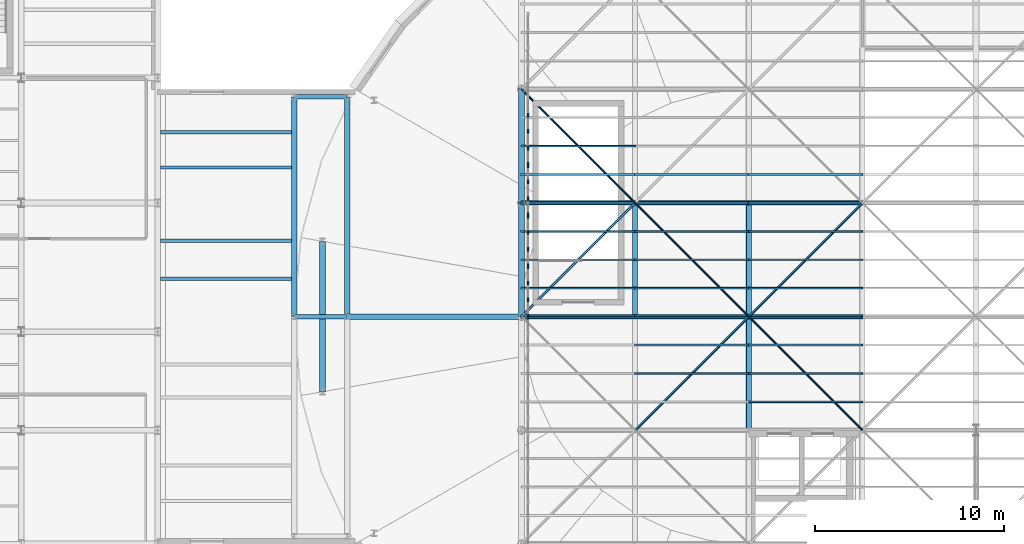
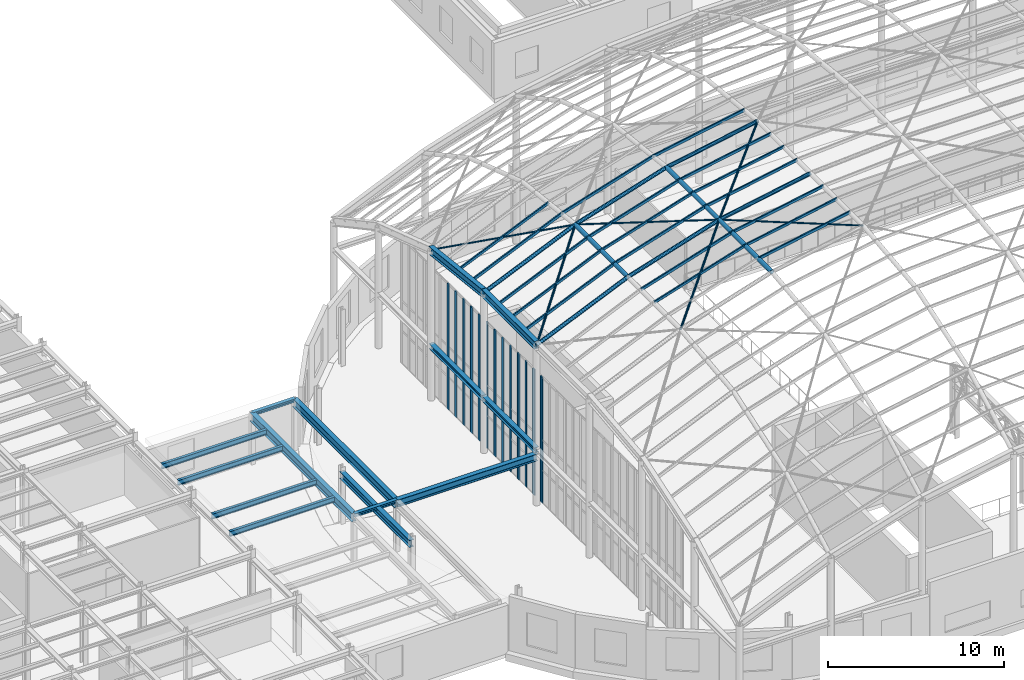
# One storey, part 20 of 75: 50 members, 14 beams, 5 elements without a shape of their own.
"""IFC4 building model written with IfcOpenShell, lengths in metres."""

from ifc_helpers import new_model, si_unit, direction, frame, origin, origin_2d, place, context, subcontext, project, spatial, rectangle, hollow_rectangle, hollow_circle, i_section, extrude, material, material_profile, profile_set, type_object, element, aggregate, save


model = new_model("IFC4")

# Units and contexts
model_context = context("Model", 3, precision=1e-05, world=origin(), true_north=direction((0.0, 1.0)))
body_context = subcontext(model_context, "Body", "Model", "MODEL_VIEW")
ifc_project = project(units=[si_unit("LENGTHUNIT", "METRE"), si_unit("AREAUNIT", "SQUARE_METRE"), si_unit("VOLUMEUNIT", "CUBIC_METRE"), si_unit("PLANEANGLEUNIT", "RADIAN"), si_unit("MASSUNIT", "GRAM", prefix="KILO")], contexts=[model_context])

# Site, building, storey
site_placement = place(None, origin())
site = spatial("IfcSite", under=ifc_project, at=site_placement, CompositionType="ELEMENT")
building_placement = place(site_placement, origin())
building = spatial("IfcBuilding", under=site, at=building_placement, Name="Kolvaren Corner Interchange", CompositionType="ELEMENT")
storey_placement = place(building_placement, frame((0.0, 0.0, 10.5)))
storey = spatial("IfcBuildingStorey", under=building, at=storey_placement, Name="L03", CompositionType="ELEMENT", Elevation=10.5)

# Beams
ifc_material_1 = material(Name="Steel S355", Category="steel")
ifc_material_profile_1 = material_profile(ifc_material_1, i_section(OverallWidth=0.239990234375, OverallDepth=0.22998046875, WebThickness=0.007568359375, FlangeThickness=0.011962890625, FilletRadius=0.02099609375, at=origin_2d()), Name="HEA 240")
ifc_profile_set_1 = profile_set([ifc_material_profile_1], Name="Steel S355")
beam_type_1 = type_object("IfcBeamType", Name="BM-HEA240", PredefinedType="BEAM", material=ifc_profile_set_1)
for number, where, z_axis, x_axis, name in (
    (1, (36.0, 48.0, 3.485107421875), (1.0, 0.0, 0.0), (0.0, 1.0, 0.0), "Storey L03 Grid X Primary Girder 0864"),
    (2, (36.0, 59.60009765625, 3.485107421875), (1.0, 0.0, 0.0), (0.0, 1.0, 0.0), "Storey L03 Grid X Primary Girder 0868"),
):
    element("IfcBeam", number, at=place(storey_placement, frame(where, z_axis=z_axis, x_axis=x_axis)), inside=storey, type_object=beam_type_1, Name=name, PredefinedType="BEAM", context=body_context, shape_type="SweptSolid", body=[
        extrude(i_section(OverallWidth=0.239990234375, OverallDepth=0.22998046875, WebThickness=0.007568359375, FlangeThickness=0.011962890625, FilletRadius=0.02099609375, at=origin_2d()), origin(), (0.0, 0.0, 1.0), 2.800048828125),
    ])
ifc_material_2 = material(Name="Steel S355", Category="steel")
ifc_material_profile_2 = material_profile(ifc_material_2, i_section(OverallWidth=0.300048828125, OverallDepth=0.35009765625, WebThickness=0.010009765625, FlangeThickness=0.017578125, FilletRadius=0.027099609375, at=origin_2d()), Name="HEA 360")
ifc_profile_set_2 = profile_set([ifc_material_profile_2], Name="Steel S355")
beam_type_2 = type_object("IfcBeamType", Name="BM-HEA360", PredefinedType="BEAM", material=ifc_profile_set_2)
for number, where, z_axis, x_axis, name in (
    (3, (48.0, 48.0, 3.77490234375), (0.0, 1.0, 0.0), (-1.0, 0.0, 0.0), "Storey L03 Grid Y Primary Girder 0929"),
    (4, (48.0, 54.0, 3.77490234375), (0.0, 1.0, 0.0), (-1.0, 0.0, 0.0), "Storey L03 Grid Y Primary Girder 0930"),
):
    element("IfcBeam", number, at=place(storey_placement, frame(where, z_axis=z_axis, x_axis=x_axis)), inside=storey, type_object=beam_type_2, Name=name, PredefinedType="BEAM", context=body_context, shape_type="SweptSolid", body=[
        extrude(i_section(OverallWidth=0.300048828125, OverallDepth=0.35009765625, WebThickness=0.010009765625, FlangeThickness=0.017578125, FilletRadius=0.027099609375, at=origin_2d()), origin(), (0.0, 0.0, 1.0), 6.0),
    ])
ifc_material_3 = material(Name="Steel S355", Category="steel")
ifc_material_profile_3 = material_profile(ifc_material_3, i_section(OverallWidth=0.300048828125, OverallDepth=0.489990234375, WebThickness=0.011962890625, FlangeThickness=0.02294921875, FilletRadius=0.027099609375, at=origin_2d()), Name="HEA 500")
ifc_profile_set_3 = profile_set([ifc_material_profile_3], Name="Steel S355")
beam_type_3 = type_object("IfcBeamType", Name="BM-HEA500", PredefinedType="BEAM", material=ifc_profile_set_3)
beam_1_placement = place(storey_placement, frame((38.800048828125, 48.0, 3.35498046875), z_axis=(1.0, 0.0, 0.0), x_axis=(0.0, 1.0, 0.0)))
element("IfcBeam", 5, at=beam_1_placement, inside=storey, type_object=beam_type_3, Name="Storey L03 Grid X Primary Girder 0865", PredefinedType="BEAM", context=body_context, shape_type="SweptSolid", body=[
    extrude(i_section(OverallWidth=0.300048828125, OverallDepth=0.489990234375, WebThickness=0.011962890625, FlangeThickness=0.02294921875, FilletRadius=0.027099609375, at=origin_2d()), origin(), (0.0, 0.0, 1.0), 9.199951171875),
])
beam_2_placement = place(storey_placement, frame((37.4970703125, 44.031982421875, 3.35498046875), z_axis=(0.0, 1.0, 0.0), x_axis=(-1.0, 0.0, 0.0)))
element("IfcBeam", 6, at=beam_2_placement, inside=storey, type_object=beam_type_3, Name="Storey L03 Grid Y Primary Girder 0922", PredefinedType="BEAM", context=body_context, shape_type="SweptSolid", body=[
    extrude(i_section(OverallWidth=0.300048828125, OverallDepth=0.489990234375, WebThickness=0.011962890625, FlangeThickness=0.02294921875, FilletRadius=0.027099609375, at=origin_2d()), origin(), (0.0, 0.0, 1.0), 7.93603515625),
])
ifc_material_4 = material(Name="Steel S355", Category="steel")
ifc_material_profile_4 = material_profile(ifc_material_4, i_section(OverallWidth=0.300048828125, OverallDepth=0.5400390625, WebThickness=0.012451171875, FlangeThickness=0.02392578125, FilletRadius=0.027099609375, at=origin_2d()), Name="HEA 550")
ifc_profile_set_4 = profile_set([ifc_material_profile_4], Name="Steel S355")
beam_type_4 = type_object("IfcBeamType", Name="BM-HEA550", PredefinedType="BEAM", material=ifc_profile_set_4)
beam_3_placement = place(storey_placement, frame((48.0, 48.0, 11.080078125), z_axis=(0.0, 1.0, 0.0), x_axis=(-1.0, 0.0, 0.0)))
element("IfcBeam", 7, at=beam_3_placement, inside=storey, type_object=beam_type_4, Name="Concourse Translational Gridshell Eaves Ring Beam 033", PredefinedType="BEAM", context=body_context, shape_type="SweptSolid", body=[
    extrude(i_section(OverallWidth=0.300048828125, OverallDepth=0.5400390625, WebThickness=0.012451171875, FlangeThickness=0.02392578125, FilletRadius=0.027099609375, at=origin_2d()), origin(), (0.0, 0.0, 1.0), 6.0),
])
beam_4_placement = place(storey_placement, frame((48.0, 54.0, 11.080078125), z_axis=(0.0, 0.993877815052, -0.110484789662), x_axis=(-1.0, 0.0, 0.0)))
element("IfcBeam", 8, at=beam_4_placement, inside=storey, type_object=beam_type_4, Name="Concourse Translational Gridshell Eaves Ring Beam 034", PredefinedType="BEAM", context=body_context, shape_type="SweptSolid", body=[
    extrude(i_section(OverallWidth=0.300048828125, OverallDepth=0.5400390625, WebThickness=0.012451171875, FlangeThickness=0.02392578125, FilletRadius=0.027099609375, at=origin_2d()), origin(), (0.0, 0.0, 1.0), 6.036865234375),
])
ifc_material_5 = material(Name="Steel S355", Category="steel")
ifc_material_profile_5 = material_profile(ifc_material_5, i_section(OverallWidth=0.300048828125, OverallDepth=0.590087890625, WebThickness=0.012939453125, FlangeThickness=0.02490234375, FilletRadius=0.027099609375, at=origin_2d()), Name="HEA 600")
ifc_profile_set_5 = profile_set([ifc_material_profile_5], Name="Steel S355")
beam_type_5 = type_object("IfcBeamType", Name="BM-HEA600", PredefinedType="BEAM", material=ifc_profile_set_5)
for number, where, z_axis, x_axis, name in (
    (9, (36.0, 48.0, 3.304931640625), (0.0, 1.0, 0.0), (-1.0, 0.0, 0.0), "Storey L03 Grid Y Primary Girder 0921"),
    (10, (38.800048828125, 48.0, 3.304931640625), (0.0, 1.0, 0.0), (-1.0, 0.0, 0.0), "Storey L03 Grid Y Primary Girder 0924"),
):
    element("IfcBeam", number, at=place(storey_placement, frame(where, z_axis=z_axis, x_axis=x_axis)), inside=storey, type_object=beam_type_5, Name=name, PredefinedType="BEAM", context=body_context, shape_type="SweptSolid", body=[
        extrude(i_section(OverallWidth=0.300048828125, OverallDepth=0.590087890625, WebThickness=0.012939453125, FlangeThickness=0.02490234375, FilletRadius=0.027099609375, at=origin_2d()), origin(), (0.0, 0.0, 1.0), 11.60009765625),
    ])
ifc_material_6 = material(Name="Steel S355", Category="steel")
ifc_material_profile_6 = material_profile(ifc_material_6, i_section(OverallWidth=0.169921875, OverallDepth=0.360107421875, WebThickness=0.008056640625, FlangeThickness=0.0126953125, FilletRadius=0.01806640625, at=origin_2d()), Name="IPE 360")
ifc_profile_set_6 = profile_set([ifc_material_profile_6], Name="Steel S355")
beam_type_6 = type_object("IfcBeamType", Name="JS-IPE360", PredefinedType="JOIST", material=ifc_profile_set_6)
for number, where, z_axis, x_axis, name in (
    (11, (28.949951171875, 50.0, 3.419921875), (1.0, 0.0, 0.0), (0.0, 1.0, 0.0), "Storey L03 Composite Floor Joist 0827"),
    (12, (28.949951171875, 52.0, 3.419921875), (1.0, 0.0, 0.0), (0.0, 1.0, 0.0), "Storey L03 Composite Floor Joist 0828"),
    (13, (28.949951171875, 55.86669921875, 3.419921875), (1.0, 0.0, 0.0), (0.0, 1.0, 0.0), "Storey L03 Composite Floor Joist 0829"),
    (14, (28.949951171875, 57.7333984375, 3.419921875), (1.0, 0.0, 0.0), (0.0, 1.0, 0.0), "Storey L03 Composite Floor Joist 0830"),
):
    element("IfcBeam", number, at=place(storey_placement, frame(where, z_axis=z_axis, x_axis=x_axis)), inside=storey, type_object=beam_type_6, Name=name, PredefinedType="JOIST", context=body_context, shape_type="SweptSolid", body=[
        extrude(i_section(OverallWidth=0.169921875, OverallDepth=0.360107421875, WebThickness=0.008056640625, FlangeThickness=0.0126953125, FilletRadius=0.01806640625, at=origin_2d()), origin(), (0.0, 0.0, 1.0), 6.900146484375),
    ])

# Members
ifc_material_7 = material(Name="Steel S355", Category="steel")
ifc_material_profile_7 = material_profile(ifc_material_7, hollow_circle(Radius=0.05078125, WallThickness=0.00634765625, at=origin_2d()), Name="CHS 101.6x6.3")
ifc_profile_set_7 = profile_set([ifc_material_profile_7], Name="Steel S355")
member_type_1 = type_object("IfcMemberType", Name="MEM-BR-CHS102", PredefinedType="BRACE", material=ifc_profile_set_7)
member_1_placement = place(storey_placement, frame((48.0, 60.0, 10.4130859375), z_axis=(0.6592323516, -0.6592323516, 0.361697958536), x_axis=(0.707106781187, 0.707106781187, 0.0)))
element("IfcMember", 15, at=member_1_placement, inside=storey, type_object=member_type_1, Name="Concourse Translational Gridshell Nodal Diagonal Brace 0006", PredefinedType="BRACE", context=body_context, shape_type="SweptSolid", body=[
    extrude(hollow_circle(Radius=0.05078125, WallThickness=0.00634765625, at=origin_2d()), origin(), (0.0, 0.0, 1.0), 9.1015625),
])
member_2_placement = place(storey_placement, frame((54.0, 54.0, 13.705078125), z_axis=(0.690450963203, -0.690450963203, 0.215765926001), x_axis=(0.707106781187, 0.707106781187, 0.0)))
element("IfcMember", 16, at=member_2_placement, inside=storey, type_object=member_type_1, Name="Concourse Translational Gridshell Nodal Diagonal Brace 0013", PredefinedType="BRACE", context=body_context, shape_type="SweptSolid", body=[
    extrude(hollow_circle(Radius=0.05078125, WallThickness=0.00634765625, at=origin_2d()), origin(), (0.0, 0.0, 1.0), 8.68994140625),
])
member_3_placement = place(storey_placement, frame((60.0, 48.0, 15.580078125), z_axis=(0.700972726941, -0.700972726941, 0.131432386301), x_axis=(0.707106781187, 0.707106781187, 0.0)))
element("IfcMember", 17, at=member_3_placement, inside=storey, type_object=member_type_1, Name="Concourse Translational Gridshell Nodal Diagonal Brace 0020", PredefinedType="BRACE", context=body_context, shape_type="SweptSolid", body=[
    extrude(hollow_circle(Radius=0.05078125, WallThickness=0.00634765625, at=origin_2d()), origin(), (0.0, 0.0, 1.0), 8.5595703125),
])
ifc_material_8 = material(Name="Steel S355", Category="steel")
ifc_material_profile_8 = material_profile(ifc_material_8, hollow_circle(Radius=0.06982421875, WallThickness=0.008056640625, at=origin_2d()), Name="CHS 139.7x8.0")
ifc_profile_set_8 = profile_set([ifc_material_profile_8], Name="Steel S355")
member_type_2 = type_object("IfcMemberType", Name="MEM-BR-CHS140", PredefinedType="BRACE", material=ifc_profile_set_8)
member_4_placement = place(storey_placement, frame((48.0, 48.0, 11.080078125), z_axis=(0.675520529473, 0.675520529473, 0.295540231645), x_axis=(-0.707106781187, 0.707106781187, 0.0)))
element("IfcMember", 18, at=member_4_placement, inside=storey, type_object=member_type_2, Name="Concourse Translational Gridshell Nodal Diagonal Brace 0005", PredefinedType="BRACE", context=body_context, shape_type="SweptSolid", body=[
    extrude(hollow_circle(Radius=0.06982421875, WallThickness=0.008056640625, at=origin_2d()), origin(), (0.0, 0.0, 1.0), 8.882080078125),
])
member_5_placement = place(storey_placement, frame((54.0, 42.0, 13.705078125), z_axis=(0.690450963203, 0.690450963203, 0.215765926001), x_axis=(-0.707106781187, 0.707106781187, 0.0)))
element("IfcMember", 19, at=member_5_placement, inside=storey, type_object=member_type_2, Name="Concourse Translational Gridshell Nodal Diagonal Brace 0012", PredefinedType="BRACE", context=body_context, shape_type="SweptSolid", body=[
    extrude(hollow_circle(Radius=0.06982421875, WallThickness=0.008056640625, at=origin_2d()), origin(), (0.0, 0.0, 1.0), 8.68994140625),
])
member_6_placement = place(storey_placement, frame((60.0, 48.0, 15.580078125), z_axis=(0.700972726941, 0.700972726941, 0.131432386301), x_axis=(-0.707106781187, 0.707106781187, 0.0)))
element("IfcMember", 20, at=member_6_placement, inside=storey, type_object=member_type_2, Name="Concourse Translational Gridshell Nodal Diagonal Brace 0021", PredefinedType="BRACE", context=body_context, shape_type="SweptSolid", body=[
    extrude(hollow_circle(Radius=0.06982421875, WallThickness=0.008056640625, at=origin_2d()), origin(), (0.0, 0.0, 1.0), 8.5595703125),
])
ifc_material_9 = material(Name="Steel S355", Category="steel")
ifc_material_profile_9 = material_profile(ifc_material_9, hollow_circle(Radius=0.122314453125, WallThickness=0.012451171875, at=origin_2d()), Name="CHS 244.5x12.5")
ifc_profile_set_9 = profile_set([ifc_material_profile_9], Name="Steel S355")
member_type_3 = type_object("IfcMemberType", Name="MEM-CH-CHS245", PredefinedType="CHORD", material=ifc_profile_set_9)
member_7_placement = place(storey_placement, frame((48.0, 48.0, 11.080078125), z_axis=(0.916157334902, 0.0, 0.40081883402), x_axis=(0.0, 1.0, 0.0)))
element("IfcMember", 21, at=member_7_placement, inside=storey, type_object=member_type_3, Name="Concourse Translational Gridshell Longitudinal Arch Chord 0147", PredefinedType="CHORD", context=body_context, shape_type="SweptSolid", body=[
    extrude(hollow_circle(Radius=0.122314453125, WallThickness=0.012451171875, at=origin_2d()), origin(), (0.0, 0.0, 1.0), 6.549072265625),
])
member_8_placement = place(storey_placement, frame((54.0, 48.0, 13.705078125), z_axis=(0.954479978035, 0.0, 0.298274993136), x_axis=(0.0, 1.0, 0.0)))
element("IfcMember", 22, at=member_8_placement, inside=storey, type_object=member_type_3, Name="Concourse Translational Gridshell Longitudinal Arch Chord 0148", PredefinedType="CHORD", context=body_context, shape_type="SweptSolid", body=[
    extrude(hollow_circle(Radius=0.122314453125, WallThickness=0.012451171875, at=origin_2d()), origin(), (0.0, 0.0, 1.0), 6.2861328125),
])
member_9_placement = place(storey_placement, frame((60.0, 48.0, 15.580078125), z_axis=(0.982872186934, 0.0, 0.18428853505), x_axis=(0.0, 1.0, 0.0)))
element("IfcMember", 23, at=member_9_placement, inside=storey, type_object=member_type_3, Name="Concourse Translational Gridshell Longitudinal Arch Chord 0149", PredefinedType="CHORD", context=body_context, shape_type="SweptSolid", body=[
    extrude(hollow_circle(Radius=0.122314453125, WallThickness=0.012451171875, at=origin_2d()), origin(), (0.0, 0.0, 1.0), 6.1044921875),
])
member_10_placement = place(storey_placement, frame((48.0, 54.0, 11.080078125), z_axis=(0.916157334902, 0.0, 0.40081883402), x_axis=(0.0, 1.0, 0.0)))
element("IfcMember", 24, at=member_10_placement, inside=storey, type_object=member_type_3, Name="Concourse Translational Gridshell Longitudinal Arch Chord 0161", PredefinedType="CHORD", context=body_context, shape_type="SweptSolid", body=[
    extrude(hollow_circle(Radius=0.122314453125, WallThickness=0.012451171875, at=origin_2d()), origin(), (0.0, 0.0, 1.0), 6.549072265625),
])
member_11_placement = place(storey_placement, frame((54.0, 54.0, 13.705078125), z_axis=(0.954479978035, 0.0, 0.298274993136), x_axis=(0.0, 1.0, 0.0)))
element("IfcMember", 25, at=member_11_placement, inside=storey, type_object=member_type_3, Name="Concourse Translational Gridshell Longitudinal Arch Chord 0162", PredefinedType="CHORD", context=body_context, shape_type="SweptSolid", body=[
    extrude(hollow_circle(Radius=0.122314453125, WallThickness=0.012451171875, at=origin_2d()), origin(), (0.0, 0.0, 1.0), 6.2861328125),
])
member_12_placement = place(storey_placement, frame((60.0, 54.0, 15.580078125), z_axis=(0.982872186934, 0.0, 0.18428853505), x_axis=(0.0, 1.0, 0.0)))
element("IfcMember", 26, at=member_12_placement, inside=storey, type_object=member_type_3, Name="Concourse Translational Gridshell Longitudinal Arch Chord 0163", PredefinedType="CHORD", context=body_context, shape_type="SweptSolid", body=[
    extrude(hollow_circle(Radius=0.122314453125, WallThickness=0.012451171875, at=origin_2d()), origin(), (0.0, 0.0, 1.0), 6.1044921875),
])
ifc_material_10 = material(Name="Steel S355", Category="steel")
ifc_material_profile_10 = material_profile(ifc_material_10, hollow_circle(Radius=0.136474609375, WallThickness=0.012451171875, at=origin_2d()), Name="CHS 273.0x12.5")
ifc_profile_set_10 = profile_set([ifc_material_profile_10], Name="Steel S355")
member_type_4 = type_object("IfcMemberType", Name="MEM-CH-CHS273", PredefinedType="CHORD", material=ifc_profile_set_10)
for number, where, z_axis, x_axis, name in (
    (27, (54.0, 48.0, 13.705078125), (0.0, 1.0, 0.0), (-1.0, 0.0, 0.0), "Concourse Translational Gridshell Transverse Arch Chord 0005"),
    (28, (60.0, 42.0, 15.580078125), (0.0, 1.0, 0.0), (-1.0, 0.0, 0.0), "Concourse Translational Gridshell Transverse Arch Chord 0012"),
    (29, (60.0, 48.0, 15.580078125), (0.0, 1.0, 0.0), (-1.0, 0.0, 0.0), "Concourse Translational Gridshell Transverse Arch Chord 0013"),
):
    element("IfcMember", number, at=place(storey_placement, frame(where, z_axis=z_axis, x_axis=x_axis)), inside=storey, type_object=member_type_4, Name=name, PredefinedType="CHORD", context=body_context, shape_type="SweptSolid", body=[
        extrude(hollow_circle(Radius=0.136474609375, WallThickness=0.012451171875, at=origin_2d()), origin(), (0.0, 0.0, 1.0), 6.0),
    ])
ifc_material_11 = material(Name="Steel S355", Category="steel")
ifc_material_profile_11 = material_profile(ifc_material_11, hollow_rectangle(XDim=0.10009765625, YDim=0.179931640625, WallThickness=0.008056640625, InnerFilletRadius=0.008056640625, OuterFilletRadius=0.01611328125, at=origin_2d()), Name="RHS 180x100x8.0")
ifc_profile_set_11 = profile_set([ifc_material_profile_11], Name="Steel S355")
member_type_5 = type_object("IfcMemberType", Name="MEM-PR-RHS180", PredefinedType="PURLIN", material=ifc_profile_set_11)
for number, where, z_axis, x_axis, name in (
    (30, (48.0, 51.0, 11.1279296875), (0.916157334902, 0.0, 0.40081883402), (0.0, 1.0, 0.0), "Concourse Translational Gridshell Glazing Purlin 0005 Row 2"),
    (31, (48.0, 57.0, 10.79443359375), (0.916157334902, 0.0, 0.40081883402), (0.0, 1.0, 0.0), "Concourse Translational Gridshell Glazing Purlin 0006 Row 2"),
):
    element("IfcMember", number, at=place(storey_placement, frame(where, z_axis=z_axis, x_axis=x_axis)), inside=storey, type_object=member_type_5, Name=name, PredefinedType="PURLIN", context=body_context, shape_type="SweptSolid", body=[
        extrude(hollow_rectangle(XDim=0.10009765625, YDim=0.179931640625, WallThickness=0.008056640625, InnerFilletRadius=0.008056640625, OuterFilletRadius=0.01611328125, at=origin_2d()), origin(), (0.0, 0.0, 1.0), 6.549072265625),
    ])
for number, where, z_axis, x_axis, name in (
    (32, (54.0, 45.0, 13.7529296875), (0.954479978035, 0.0, 0.298274993136), (0.0, 1.0, 0.0), "Concourse Translational Gridshell Glazing Purlin 0012 Row 2"),
    (33, (54.0, 51.0, 13.7529296875), (0.954479978035, 0.0, 0.298274993136), (0.0, 1.0, 0.0), "Concourse Translational Gridshell Glazing Purlin 0013 Row 2"),
):
    element("IfcMember", number, at=place(storey_placement, frame(where, z_axis=z_axis, x_axis=x_axis)), inside=storey, type_object=member_type_5, Name=name, PredefinedType="PURLIN", context=body_context, shape_type="SweptSolid", body=[
        extrude(hollow_rectangle(XDim=0.10009765625, YDim=0.179931640625, WallThickness=0.008056640625, InnerFilletRadius=0.008056640625, OuterFilletRadius=0.01611328125, at=origin_2d()), origin(), (0.0, 0.0, 1.0), 6.2861328125),
    ])
for number, where, z_axis, x_axis, name in (
    (34, (60.0, 45.0, 15.6279296875), (0.982872186934, 0.0, 0.18428853505), (0.0, 1.0, 0.0), "Concourse Translational Gridshell Glazing Purlin 0020 Row 2"),
    (35, (60.0, 51.0, 15.6279296875), (0.982872186934, 0.0, 0.18428853505), (0.0, 1.0, 0.0), "Concourse Translational Gridshell Glazing Purlin 0021 Row 2"),
):
    element("IfcMember", number, at=place(storey_placement, frame(where, z_axis=z_axis, x_axis=x_axis)), inside=storey, type_object=member_type_5, Name=name, PredefinedType="PURLIN", context=body_context, shape_type="SweptSolid", body=[
        extrude(hollow_rectangle(XDim=0.10009765625, YDim=0.179931640625, WallThickness=0.008056640625, InnerFilletRadius=0.008056640625, OuterFilletRadius=0.01611328125, at=origin_2d()), origin(), (0.0, 0.0, 1.0), 6.1044921875),
    ])
ifc_material_12 = material(Name="Steel S355", Category="steel")
ifc_material_profile_12 = material_profile(ifc_material_12, hollow_rectangle(XDim=0.10009765625, YDim=0.199951171875, WallThickness=0.008056640625, InnerFilletRadius=0.008056640625, OuterFilletRadius=0.01611328125, at=origin_2d()), Name="RHS 200x100x8.0")
ifc_profile_set_12 = profile_set([ifc_material_profile_12], Name="Steel S355")
member_type_6 = type_object("IfcMemberType", Name="MEM-PR-RHS200", PredefinedType="PURLIN", material=ifc_profile_set_12)
for number, where, z_axis, x_axis, name in (
    (36, (48.0, 49.5, 11.117919921875), (0.916157334902, 0.0, 0.40081883402), (0.0, 1.0, 0.0), "Concourse Translational Gridshell Glazing Purlin 0005 Row 1"),
    (37, (48.0, 52.5, 11.117919921875), (0.916157334902, 0.0, 0.40081883402), (0.0, 1.0, 0.0), "Concourse Translational Gridshell Glazing Purlin 0005 Row 3"),
    (38, (48.0, 55.5, 10.951171875), (0.916157334902, 0.0, 0.40081883402), (0.0, 1.0, 0.0), "Concourse Translational Gridshell Glazing Purlin 0006 Row 1"),
):
    element("IfcMember", number, at=place(storey_placement, frame(where, z_axis=z_axis, x_axis=x_axis)), inside=storey, type_object=member_type_6, Name=name, PredefinedType="PURLIN", context=body_context, shape_type="SweptSolid", body=[
        extrude(hollow_rectangle(XDim=0.10009765625, YDim=0.199951171875, WallThickness=0.008056640625, InnerFilletRadius=0.008056640625, OuterFilletRadius=0.01611328125, at=origin_2d()), origin(), (0.0, 0.0, 1.0), 6.549072265625),
    ])
for number, where, z_axis, x_axis, name in (
    (39, (54.0, 46.5, 13.742919921875), (0.954479978035, 0.0, 0.298274993136), (0.0, 1.0, 0.0), "Concourse Translational Gridshell Glazing Purlin 0012 Row 3"),
    (40, (54.0, 49.5, 13.742919921875), (0.954479978035, 0.0, 0.298274993136), (0.0, 1.0, 0.0), "Concourse Translational Gridshell Glazing Purlin 0013 Row 1"),
    (41, (54.0, 52.5, 13.742919921875), (0.954479978035, 0.0, 0.298274993136), (0.0, 1.0, 0.0), "Concourse Translational Gridshell Glazing Purlin 0013 Row 3"),
    (42, (54.0, 55.5, 13.576171875), (0.954479978035, 0.0, 0.298274993136), (0.0, 1.0, 0.0), "Concourse Translational Gridshell Glazing Purlin 0014 Row 1"),
):
    element("IfcMember", number, at=place(storey_placement, frame(where, z_axis=z_axis, x_axis=x_axis)), inside=storey, type_object=member_type_6, Name=name, PredefinedType="PURLIN", context=body_context, shape_type="SweptSolid", body=[
        extrude(hollow_rectangle(XDim=0.10009765625, YDim=0.199951171875, WallThickness=0.008056640625, InnerFilletRadius=0.008056640625, OuterFilletRadius=0.01611328125, at=origin_2d()), origin(), (0.0, 0.0, 1.0), 6.2861328125),
    ])
for number, where, z_axis, x_axis, name in (
    (43, (60.0, 43.5, 15.617919921875), (0.982872186934, 0.0, 0.18428853505), (0.0, 1.0, 0.0), "Concourse Translational Gridshell Glazing Purlin 0020 Row 1"),
    (44, (60.0, 46.5, 15.617919921875), (0.982872186934, 0.0, 0.18428853505), (0.0, 1.0, 0.0), "Concourse Translational Gridshell Glazing Purlin 0020 Row 3"),
    (45, (60.0, 49.5, 15.617919921875), (0.982872186934, 0.0, 0.18428853505), (0.0, 1.0, 0.0), "Concourse Translational Gridshell Glazing Purlin 0021 Row 1"),
    (46, (60.0, 52.5, 15.617919921875), (0.982872186934, 0.0, 0.18428853505), (0.0, 1.0, 0.0), "Concourse Translational Gridshell Glazing Purlin 0021 Row 3"),
    (47, (60.0, 55.5, 15.451171875), (0.982872186934, 0.0, 0.18428853505), (0.0, 1.0, 0.0), "Concourse Translational Gridshell Glazing Purlin 0022 Row 1"),
):
    element("IfcMember", number, at=place(storey_placement, frame(where, z_axis=z_axis, x_axis=x_axis)), inside=storey, type_object=member_type_6, Name=name, PredefinedType="PURLIN", context=body_context, shape_type="SweptSolid", body=[
        extrude(hollow_rectangle(XDim=0.10009765625, YDim=0.199951171875, WallThickness=0.008056640625, InnerFilletRadius=0.008056640625, OuterFilletRadius=0.01611328125, at=origin_2d()), origin(), (0.0, 0.0, 1.0), 6.1044921875),
    ])

# Curtain wall, member
ifc_material_13 = material(Name="Unitised Aluminium and Solar-Control Glass Curtain Wall", Category="aluminium")
curtain_wall_type = type_object("IfcCurtainWallType", Name="CW-V1-CLER", PredefinedType="NOTDEFINED", material=ifc_material_13)
curtain_wall_1_placement = place(storey_placement, origin())
curtain_wall_1 = element("IfcCurtainWall", 48, at=curtain_wall_1_placement, inside=storey, type_object=curtain_wall_type, Name="Gridshell West End Curtain Wall Bay 06", PredefinedType="NOTDEFINED")
ifc_material_14 = material(Name="Anodised Aluminium Framing", Category="aluminium")
ifc_material_profile_13 = material_profile(ifc_material_14, rectangle(XDim=0.070068359375, YDim=0.199951171875, at=origin_2d()), Name="ALU 70x200")
ifc_profile_set_13 = profile_set([ifc_material_profile_13], Name="Anodised Aluminium Framing")
member_type_7 = type_object("IfcMemberType", Name="MUL-ALU70x200", PredefinedType="MULLION", material=ifc_profile_set_13)
member_13_placement = place(storey_placement, frame((48.35009765625, 47.965087890625, 0.0), z_axis=(0.0, 0.0, 1.0), x_axis=(-1.0, 0.0, 0.0)))
member_13 = element("IfcMember", 49, at=member_13_placement, type_object=member_type_7, Name="CW-087 mullion 4", PredefinedType="MULLION", context=body_context, shape_type="SweptSolid", body=[
    extrude(rectangle(XDim=0.070068359375, YDim=0.199951171875, at=origin_2d()), origin(), (0.0, 0.0, 1.0), 8.77197265625),
])
aggregate(curtain_wall_1, [member_13])

# Curtain wall, members
curtain_wall_2_placement = place(storey_placement, origin())
curtain_wall_2 = element("IfcCurtainWall", 50, at=curtain_wall_2_placement, inside=storey, type_object=curtain_wall_type, Name="Gridshell West End Curtain Wall Bay 07", PredefinedType="NOTDEFINED")
member_14_placement = place(storey_placement, frame((48.35009765625, 48.034912109375, 0.0), z_axis=(0.0, 0.0, 1.0), x_axis=(-1.0, 0.0, 0.0)))
member_14 = element("IfcMember", 51, at=member_14_placement, type_object=member_type_7, Name="CW-088 mullion 1", PredefinedType="MULLION", context=body_context, shape_type="SweptSolid", body=[
    extrude(rectangle(XDim=0.070068359375, YDim=0.199951171875, at=origin_2d()), origin(), (0.0, 0.0, 1.0), 8.77197265625),
])
member_15_placement = place(storey_placement, frame((48.35009765625, 48.888916015625, 0.0), z_axis=(0.0, 0.0, 1.0), x_axis=(-1.0, 0.0, 0.0)))
member_15 = element("IfcMember", 52, at=member_15_placement, type_object=member_type_7, Name="CW-088 mullion 2", PredefinedType="MULLION", context=body_context, shape_type="SweptSolid", body=[
    extrude(rectangle(XDim=0.070068359375, YDim=0.199951171875, at=origin_2d()), origin(), (0.0, 0.0, 1.0), 8.77197265625),
])
member_16_placement = place(storey_placement, frame((48.35009765625, 49.77783203125, 0.0), z_axis=(0.0, 0.0, 1.0), x_axis=(-1.0, 0.0, 0.0)))
member_16 = element("IfcMember", 53, at=member_16_placement, type_object=member_type_7, Name="CW-088 mullion 3", PredefinedType="MULLION", context=body_context, shape_type="SweptSolid", body=[
    extrude(rectangle(XDim=0.070068359375, YDim=0.199951171875, at=origin_2d()), origin(), (0.0, 0.0, 1.0), 8.77197265625),
])
member_17_placement = place(storey_placement, frame((48.35009765625, 50.631591796875, 0.0), z_axis=(0.0, 0.0, 1.0), x_axis=(-1.0, 0.0, 0.0)))
member_17 = element("IfcMember", 54, at=member_17_placement, type_object=member_type_7, Name="CW-088 mullion 4", PredefinedType="MULLION", context=body_context, shape_type="SweptSolid", body=[
    extrude(rectangle(XDim=0.070068359375, YDim=0.199951171875, at=origin_2d()), origin(), (0.0, 0.0, 1.0), 8.77197265625),
])
aggregate(curtain_wall_2, [member_14, member_15, member_16, member_17])

curtain_wall_3_placement = place(storey_placement, origin())
curtain_wall_3 = element("IfcCurtainWall", 55, at=curtain_wall_3_placement, inside=storey, type_object=curtain_wall_type, Name="Gridshell West End Curtain Wall Bay 08", PredefinedType="NOTDEFINED")
member_18_placement = place(storey_placement, frame((48.35009765625, 50.70166015625, 0.0), z_axis=(0.0, 0.0, 1.0), x_axis=(-1.0, 0.0, 0.0)))
member_18 = element("IfcMember", 56, at=member_18_placement, type_object=member_type_7, Name="CW-089 mullion 1", PredefinedType="MULLION", context=body_context, shape_type="SweptSolid", body=[
    extrude(rectangle(XDim=0.070068359375, YDim=0.199951171875, at=origin_2d()), origin(), (0.0, 0.0, 1.0), 8.77197265625),
])
member_19_placement = place(storey_placement, frame((48.35009765625, 51.5556640625, 0.0), z_axis=(0.0, 0.0, 1.0), x_axis=(-1.0, 0.0, 0.0)))
member_19 = element("IfcMember", 57, at=member_19_placement, type_object=member_type_7, Name="CW-089 mullion 2", PredefinedType="MULLION", context=body_context, shape_type="SweptSolid", body=[
    extrude(rectangle(XDim=0.070068359375, YDim=0.199951171875, at=origin_2d()), origin(), (0.0, 0.0, 1.0), 8.77197265625),
])
member_20_placement = place(storey_placement, frame((48.35009765625, 52.4443359375, 0.0), z_axis=(0.0, 0.0, 1.0), x_axis=(-1.0, 0.0, 0.0)))
member_20 = element("IfcMember", 58, at=member_20_placement, type_object=member_type_7, Name="CW-089 mullion 3", PredefinedType="MULLION", context=body_context, shape_type="SweptSolid", body=[
    extrude(rectangle(XDim=0.070068359375, YDim=0.199951171875, at=origin_2d()), origin(), (0.0, 0.0, 1.0), 8.77197265625),
])
member_21_placement = place(storey_placement, frame((48.35009765625, 53.29833984375, 0.0), z_axis=(0.0, 0.0, 1.0), x_axis=(-1.0, 0.0, 0.0)))
member_21 = element("IfcMember", 59, at=member_21_placement, type_object=member_type_7, Name="CW-089 mullion 4", PredefinedType="MULLION", context=body_context, shape_type="SweptSolid", body=[
    extrude(rectangle(XDim=0.070068359375, YDim=0.199951171875, at=origin_2d()), origin(), (0.0, 0.0, 1.0), 8.77197265625),
])
aggregate(curtain_wall_3, [member_18, member_19, member_20, member_21])

curtain_wall_4_placement = place(storey_placement, origin())
curtain_wall_4 = element("IfcCurtainWall", 60, at=curtain_wall_4_placement, inside=storey, type_object=curtain_wall_type, Name="Gridshell West End Curtain Wall Bay 09", PredefinedType="NOTDEFINED")
member_22_placement = place(storey_placement, frame((48.35009765625, 53.368408203125, 0.0), z_axis=(0.0, 0.0, 1.0), x_axis=(-1.0, 0.0, 0.0)))
member_22 = element("IfcMember", 61, at=member_22_placement, type_object=member_type_7, Name="CW-090 mullion 1", PredefinedType="MULLION", context=body_context, shape_type="SweptSolid", body=[
    extrude(rectangle(XDim=0.070068359375, YDim=0.199951171875, at=origin_2d()), origin(), (0.0, 0.0, 1.0), 8.77197265625),
])
member_23_placement = place(storey_placement, frame((48.35009765625, 54.22216796875, 0.0), z_axis=(0.0, 0.0, 1.0), x_axis=(-1.0, 0.0, 0.0)))
member_23 = element("IfcMember", 62, at=member_23_placement, type_object=member_type_7, Name="CW-090 mullion 2", PredefinedType="MULLION", context=body_context, shape_type="SweptSolid", body=[
    extrude(rectangle(XDim=0.070068359375, YDim=0.199951171875, at=origin_2d()), origin(), (0.0, 0.0, 1.0), 8.77197265625),
])
member_24_placement = place(storey_placement, frame((48.35009765625, 55.111083984375, 0.0), z_axis=(0.0, 0.0, 1.0), x_axis=(-1.0, 0.0, 0.0)))
member_24 = element("IfcMember", 63, at=member_24_placement, type_object=member_type_7, Name="CW-090 mullion 3", PredefinedType="MULLION", context=body_context, shape_type="SweptSolid", body=[
    extrude(rectangle(XDim=0.070068359375, YDim=0.199951171875, at=origin_2d()), origin(), (0.0, 0.0, 1.0), 8.77197265625),
])
member_25_placement = place(storey_placement, frame((48.35009765625, 55.965087890625, 0.0), z_axis=(0.0, 0.0, 1.0), x_axis=(-1.0, 0.0, 0.0)))
member_25 = element("IfcMember", 64, at=member_25_placement, type_object=member_type_7, Name="CW-090 mullion 4", PredefinedType="MULLION", context=body_context, shape_type="SweptSolid", body=[
    extrude(rectangle(XDim=0.070068359375, YDim=0.199951171875, at=origin_2d()), origin(), (0.0, 0.0, 1.0), 8.77197265625),
])
aggregate(curtain_wall_4, [member_22, member_23, member_24, member_25])

curtain_wall_5_placement = place(storey_placement, origin())
curtain_wall_5 = element("IfcCurtainWall", 65, at=curtain_wall_5_placement, inside=storey, type_object=curtain_wall_type, Name="Gridshell West End Curtain Wall Bay 10", PredefinedType="NOTDEFINED")
member_26_placement = place(storey_placement, frame((48.35009765625, 56.034912109375, 0.0), z_axis=(0.0, 0.0, 1.0), x_axis=(-1.0, 0.0, 0.0)))
member_26 = element("IfcMember", 66, at=member_26_placement, type_object=member_type_7, Name="CW-091 mullion 1", PredefinedType="MULLION", context=body_context, shape_type="SweptSolid", body=[
    extrude(rectangle(XDim=0.070068359375, YDim=0.199951171875, at=origin_2d()), origin(), (0.0, 0.0, 1.0), 8.77197265625),
])
member_27_placement = place(storey_placement, frame((48.35009765625, 56.888916015625, 0.0), z_axis=(0.0, 0.0, 1.0), x_axis=(-1.0, 0.0, 0.0)))
member_27 = element("IfcMember", 67, at=member_27_placement, type_object=member_type_7, Name="CW-091 mullion 2", PredefinedType="MULLION", context=body_context, shape_type="SweptSolid", body=[
    extrude(rectangle(XDim=0.070068359375, YDim=0.199951171875, at=origin_2d()), origin(), (0.0, 0.0, 1.0), 8.77197265625),
])
member_28_placement = place(storey_placement, frame((48.35009765625, 57.77783203125, 0.0), z_axis=(0.0, 0.0, 1.0), x_axis=(-1.0, 0.0, 0.0)))
member_28 = element("IfcMember", 68, at=member_28_placement, type_object=member_type_7, Name="CW-091 mullion 3", PredefinedType="MULLION", context=body_context, shape_type="SweptSolid", body=[
    extrude(rectangle(XDim=0.070068359375, YDim=0.199951171875, at=origin_2d()), origin(), (0.0, 0.0, 1.0), 8.77197265625),
])
member_29_placement = place(storey_placement, frame((48.35009765625, 58.631591796875, 0.0), z_axis=(0.0, 0.0, 1.0), x_axis=(-1.0, 0.0, 0.0)))
member_29 = element("IfcMember", 69, at=member_29_placement, type_object=member_type_7, Name="CW-091 mullion 4", PredefinedType="MULLION", context=body_context, shape_type="SweptSolid", body=[
    extrude(rectangle(XDim=0.070068359375, YDim=0.199951171875, at=origin_2d()), origin(), (0.0, 0.0, 1.0), 8.77197265625),
])
aggregate(curtain_wall_5, [member_26, member_27, member_28, member_29])

save(model, "model.ifc")
